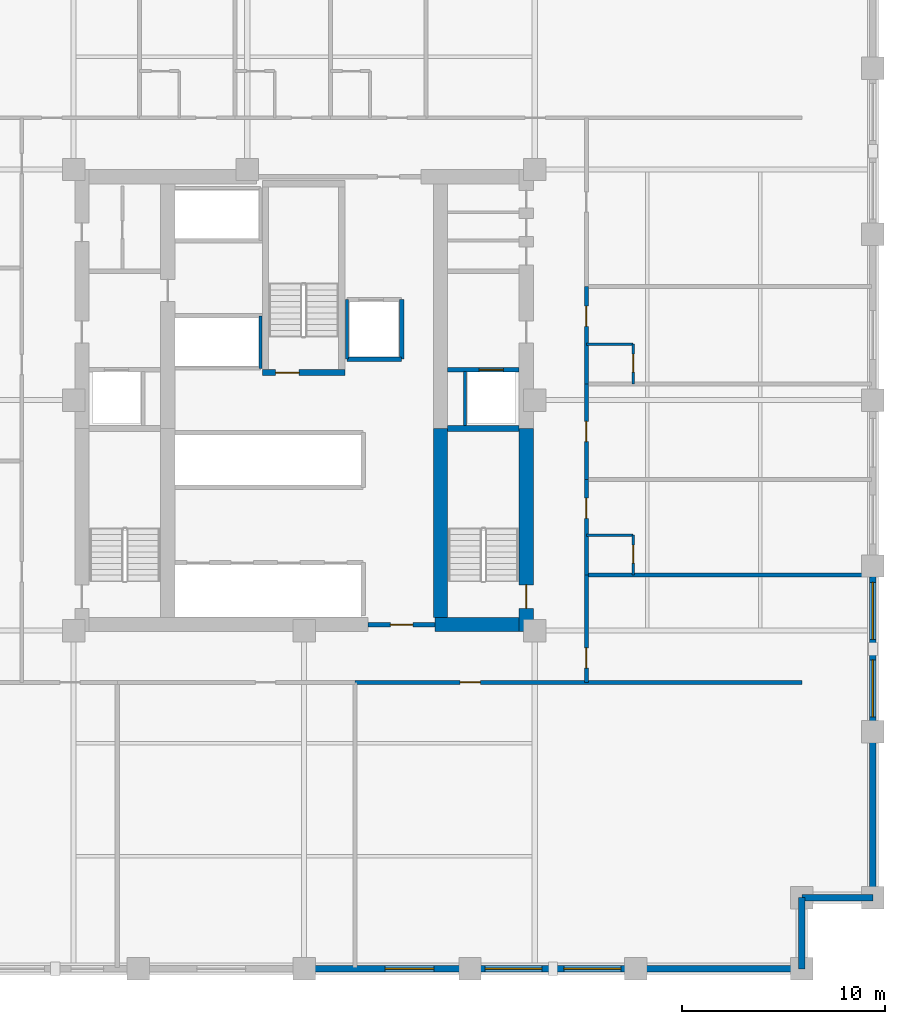
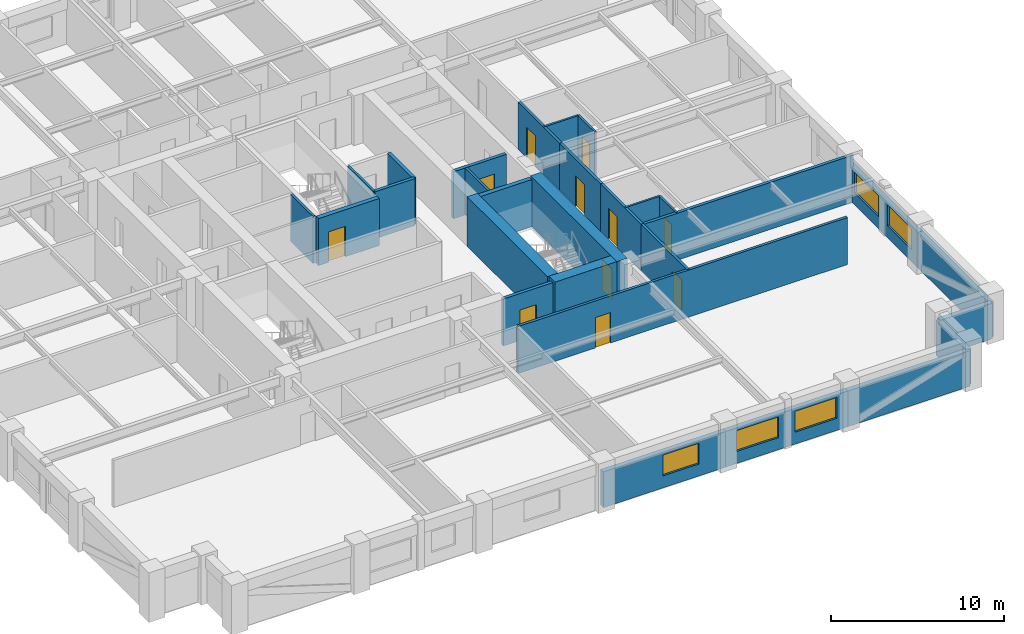
# One storey, part 3 of 7: 29 walls, 11 doors, 5 windows, 16 openings.
"""IFC4 building model written with IfcOpenShell, lengths in metres."""

from ifc_helpers import new_model, si_unit, direction, frame, frame_2d, origin, place, context, subcontext, project, spatial, rectangle, extrude, material, layer, layer_set, type_object, element, fill, save


model = new_model("IFC4")

# Units and contexts
model_context = context("Model", 3, precision=1e-05, world=origin(), true_north=direction((0.0, 1.0)))
body_context = subcontext(model_context, "Body", "Model", "MODEL_VIEW")
ifc_project = project(units=[si_unit("LENGTHUNIT", "METRE"), si_unit("AREAUNIT", "SQUARE_METRE"), si_unit("VOLUMEUNIT", "CUBIC_METRE"), si_unit("PLANEANGLEUNIT", "RADIAN"), si_unit("MASSUNIT", "GRAM", prefix="KILO")], contexts=[model_context])

# Site, building, storey
site_placement = place(None, origin())
site = spatial("IfcSite", under=ifc_project, at=site_placement, CompositionType="ELEMENT")
building_placement = place(site_placement, origin())
building = spatial("IfcBuilding", under=site, at=building_placement, Name="Nhamokura Convention Tower", CompositionType="ELEMENT")
storey_placement = place(building_placement, frame((0.0, 0.0, 52.85009765625)))
storey = spatial("IfcBuildingStorey", under=building, at=storey_placement, Name="L11", CompositionType="ELEMENT", Elevation=52.85009765625)

# Wall
ifc_material_1 = material(Name="Moisture-resistant tile-backer partition", Category="masonry")
ifc_layer_1 = layer(ifc_material_1, 0.139892578125)
ifc_layer_set_1 = layer_set([ifc_layer_1], Name="BathroomWetWall_140")
wall_type_1 = type_object("IfcWallType", Name="BathroomWetWall_140", PredefinedType="STANDARD", material=ifc_layer_set_1)
wall_1_placement = place(storey_placement, frame((45.89990234375, 25.35009765625, 0.0), z_axis=(0.0, 0.0, 1.0), x_axis=(1.0, 0.0, 0.0)))
element("IfcWall", 1, at=wall_1_placement, inside=storey, type_object=wall_type_1, Name="L11 Wall INT-L11-BW-E01N", PredefinedType="STANDARD", context=body_context, shape_type="SweptSolid", body=[
    extrude(rectangle(XDim=2.300048828125, YDim=0.139892578125, at=frame_2d((1.14990234375, 0.0))), origin(), (0.0, 0.0, 1.0), 3.31982421875),
])

# Wall, opening, door
wall_2_placement = place(storey_placement, frame((48.199951171875, 23.39990234375, 0.0), z_axis=(0.0, 0.0, 1.0), x_axis=(0.0, 1.0, 0.0)))
wall_2 = element("IfcWall", 2, at=wall_2_placement, inside=storey, type_object=wall_type_1, Name="L11 Wall INT-L11-BW-E01E", PredefinedType="STANDARD", context=body_context, shape_type="SweptSolid", body=[
    extrude(rectangle(XDim=1.9501953125, YDim=0.139892578125, at=frame_2d((0.97509765625, 0.0))), origin(), (0.0, 0.0, 1.0), 3.31982421875),
])
opening_1_placement = place(wall_2_placement, frame((0.580078125, 0.0, 0.0)))
opening_1 = element("IfcOpeningElement", 3, at=opening_1_placement, cuts=wall_2, Name="Opening D-11", PredefinedType="OPENING", context=body_context, shape_type="SweptSolid", body=[
    extrude(rectangle(XDim=0.8798828125, YDim=2.10009765625, at=frame_2d((0.43994140625, 1.050048828125))), frame((0.0, 0.079833984375, 0.0), z_axis=(0.0, -1.0, 0.0), x_axis=(1.0, 0.0, 0.0)), (0.0, 0.0, 1.0), 0.159912109375),
])
ifc_material_2 = material(Name="Solid oak hardwood", Category="wood")
door_type_1 = type_object("IfcDoorType", Name="BathroomDoor_880", OperationType="NOTDEFINED", PredefinedType="DOOR", material=ifc_material_2)
door_1_placement = place(opening_1_placement, origin())
door_1 = element("IfcDoor", 4, at=door_1_placement, inside=storey, type_object=door_type_1, Name="L11 Corner Suite En-suite Door", OperationType="SINGLE_SWING_LEFT", OverallHeight=2.10009765625, OverallWidth=0.8798828125, PredefinedType="DOOR", context=body_context, shape_type="SweptSolid", body=[
    extrude(rectangle(XDim=0.8798828125, YDim=2.10009765625, at=frame_2d((0.43994140625, 1.050048828125))), frame((0.0, 0.02490234375, 0.0), z_axis=(0.0, -1.0, 0.0), x_axis=(1.0, 0.0, 0.0)), (0.0, 0.0, 1.0), 0.050048828125),
])
fill(opening_1, door_1)

# Wall
wall_3_placement = place(storey_placement, frame((45.89990234375, 34.75, 0.0), z_axis=(0.0, 0.0, 1.0), x_axis=(1.0, 0.0, 0.0)))
element("IfcWall", 5, at=wall_3_placement, inside=storey, type_object=wall_type_1, Name="L11 Wall INT-L11-BW-E03N", PredefinedType="STANDARD", context=body_context, shape_type="SweptSolid", body=[
    extrude(rectangle(XDim=2.300048828125, YDim=0.139892578125, at=frame_2d((1.14990234375, 0.0))), origin(), (0.0, 0.0, 1.0), 3.31982421875),
])

# Wall, opening, door
wall_4_placement = place(storey_placement, frame((48.199951171875, 32.800048828125, 0.0), z_axis=(0.0, 0.0, 1.0), x_axis=(0.0, 1.0, 0.0)))
wall_4 = element("IfcWall", 6, at=wall_4_placement, inside=storey, type_object=wall_type_1, Name="L11 Wall INT-L11-BW-E03E", PredefinedType="STANDARD", context=body_context, shape_type="SweptSolid", body=[
    extrude(rectangle(XDim=1.949951171875, YDim=0.139892578125, at=frame_2d((0.97509765625, 0.0))), origin(), (0.0, 0.0, 1.0), 3.31982421875),
])
opening_2_placement = place(wall_4_placement, frame((0.580078125, 0.0, 0.0)))
opening_2 = element("IfcOpeningElement", 7, at=opening_2_placement, cuts=wall_4, Name="Opening D-11", PredefinedType="OPENING", context=body_context, shape_type="SweptSolid", body=[
    extrude(rectangle(XDim=0.8798828125, YDim=2.10009765625, at=frame_2d((0.43994140625, 1.050048828125))), frame((0.0, 0.079833984375, 0.0), z_axis=(0.0, -1.0, 0.0), x_axis=(1.0, 0.0, 0.0)), (0.0, 0.0, 1.0), 0.159912109375),
])
door_2_placement = place(opening_2_placement, origin())
door_2 = element("IfcDoor", 8, at=door_2_placement, inside=storey, type_object=door_type_1, Name="L11 Guest Room En-suite Door", OperationType="SINGLE_SWING_LEFT", OverallHeight=2.10009765625, OverallWidth=0.8798828125, PredefinedType="DOOR", context=body_context, shape_type="SweptSolid", body=[
    extrude(rectangle(XDim=0.8798828125, YDim=2.10009765625, at=frame_2d((0.43994140625, 1.050048828125))), frame((0.0, 0.02490234375, 0.0), z_axis=(0.0, -1.0, 0.0), x_axis=(1.0, 0.0, 0.0)), (0.0, 0.0, 1.0), 0.050048828125),
])
fill(opening_2, door_2)

# Wall, opening, window
ifc_material_3 = material(Name="Bronze-pigmented precast concrete C45/55", Category="concrete")
ifc_layer_2 = layer(ifc_material_3, 0.320068359375)
ifc_layer_set_2 = layer_set([ifc_layer_2], Name="BronzePrecastSpandrel_320")
wall_type_2 = type_object("IfcWallType", Name="BronzePrecastSpandrel_320", PredefinedType="USERDEFINED", material=ifc_layer_set_2)
wall_5_placement = place(storey_placement, frame((40.166748046875, 4.0, 0.0), z_axis=(0.0, 0.0, 1.0), x_axis=(-1.0, 0.0, 0.0)))
wall_5 = element("IfcWall", 9, at=wall_5_placement, inside=storey, type_object=wall_type_2, Name="L11 Masonry-Frame Wall SOUTH 3", ObjectType="SPANDREL_WALL", PredefinedType="USERDEFINED", context=body_context, shape_type="SweptSolid", body=[
    extrude(rectangle(XDim=8.166748046875, YDim=0.320068359375, at=frame_2d((4.08349609375, 0.0))), origin(), (0.0, 0.0, 1.0), 2.52001953125),
])
opening_3_placement = place(wall_5_placement, frame((1.783203125, 0.0, 0.85009765625)))
opening_3 = element("IfcOpeningElement", 10, at=opening_3_placement, cuts=wall_5, Name="Opening W-03", PredefinedType="OPENING", context=body_context, shape_type="SweptSolid", body=[
    extrude(rectangle(XDim=2.39990234375, YDim=1.469970703125, at=frame_2d((1.199951171875, 0.73486328125))), frame((0.0, 0.169921875, 0.0), z_axis=(0.0, -1.0, 0.0), x_axis=(1.0, 0.0, 0.0)), (0.0, 0.0, 1.0), 0.340087890625),
])
ifc_material_4 = material(Name="Solar-control bronze low-E double glass", Category="glass")
window_type_1 = type_object("IfcWindowType", Name="HotelBayWindow_2400", PartitioningType="DOUBLE_PANEL_VERTICAL", PredefinedType="WINDOW", material=ifc_material_4)
window_1_placement = place(opening_3_placement, origin())
window_1 = element("IfcWindow", 11, at=window_1_placement, inside=storey, type_object=window_type_1, Name="L11 Facade Window SOUTH 3-1", OverallHeight=1.469970703125, OverallWidth=2.39990234375, PartitioningType="SINGLE_PANEL", PredefinedType="WINDOW", context=body_context, shape_type="SweptSolid", body=[
    extrude(rectangle(XDim=2.39990234375, YDim=1.469970703125, at=frame_2d((1.199951171875, 0.73486328125))), frame((0.0, 0.030029296875, 0.0), z_axis=(0.0, -1.0, 0.0), x_axis=(1.0, 0.0, 0.0)), (0.0, 0.0, 1.0), 0.06005859375),
])
fill(opening_3, window_1)

# Wall, openings, windows
wall_6_placement = place(storey_placement, frame((48.333251953125, 4.0, 0.0), z_axis=(0.0, 0.0, 1.0), x_axis=(-1.0, 0.0, 0.0)))
wall_6 = element("IfcWall", 12, at=wall_6_placement, inside=storey, type_object=wall_type_2, Name="L11 Masonry-Frame Wall SOUTH 4", ObjectType="SPANDREL_WALL", PredefinedType="USERDEFINED", context=body_context, shape_type="SweptSolid", body=[
    extrude(rectangle(XDim=8.16650390625, YDim=0.320068359375, at=frame_2d((4.083251953125, 0.0))), origin(), (0.0, 0.0, 1.0), 2.52001953125),
])
opening_4_placement = place(wall_6_placement, frame((0.74169921875, 0.0, 0.85009765625)))
opening_4 = element("IfcOpeningElement", 13, at=opening_4_placement, cuts=wall_6, Name="Opening W-04", PredefinedType="OPENING", context=body_context, shape_type="SweptSolid", body=[
    extrude(rectangle(XDim=2.800048828125, YDim=1.469970703125, at=frame_2d((1.39990234375, 0.73486328125))), frame((0.0, 0.169921875, 0.0), z_axis=(0.0, -1.0, 0.0), x_axis=(1.0, 0.0, 0.0)), (0.0, 0.0, 1.0), 0.340087890625),
])
opening_5_placement = place(wall_6_placement, frame((4.625, 0.0, 0.85009765625)))
opening_5 = element("IfcOpeningElement", 14, at=opening_5_placement, cuts=wall_6, Name="Opening W-04", PredefinedType="OPENING", context=body_context, shape_type="SweptSolid", body=[
    extrude(rectangle(XDim=2.800048828125, YDim=1.469970703125, at=frame_2d((1.39990234375, 0.73486328125))), frame((0.0, 0.169921875, 0.0), z_axis=(0.0, -1.0, 0.0), x_axis=(1.0, 0.0, 0.0)), (0.0, 0.0, 1.0), 0.340087890625),
])
ifc_material_5 = material(Name="Solar-control bronze low-E double glass", Category="glass")
window_type_2 = type_object("IfcWindowType", Name="HotelSuiteWindow_2800", PartitioningType="DOUBLE_PANEL_VERTICAL", PredefinedType="WINDOW", material=ifc_material_5)
window_2_placement = place(opening_4_placement, origin())
window_2 = element("IfcWindow", 15, at=window_2_placement, inside=storey, type_object=window_type_2, Name="L11 Facade Window SOUTH 4-1", OverallHeight=1.469970703125, OverallWidth=2.800048828125, PartitioningType="SINGLE_PANEL", PredefinedType="WINDOW", context=body_context, shape_type="SweptSolid", body=[
    extrude(rectangle(XDim=2.800048828125, YDim=1.469970703125, at=frame_2d((1.39990234375, 0.73486328125))), frame((0.0, 0.030029296875, 0.0), z_axis=(0.0, -1.0, 0.0), x_axis=(1.0, 0.0, 0.0)), (0.0, 0.0, 1.0), 0.06005859375),
])
fill(opening_4, window_2)
window_3_placement = place(opening_5_placement, origin())
window_3 = element("IfcWindow", 16, at=window_3_placement, inside=storey, type_object=window_type_2, Name="L11 Facade Window SOUTH 4-2", OverallHeight=1.469970703125, OverallWidth=2.800048828125, PartitioningType="SINGLE_PANEL", PredefinedType="WINDOW", context=body_context, shape_type="SweptSolid", body=[
    extrude(rectangle(XDim=2.800048828125, YDim=1.469970703125, at=frame_2d((1.39990234375, 0.73486328125))), frame((0.0, 0.030029296875, 0.0), z_axis=(0.0, -1.0, 0.0), x_axis=(1.0, 0.0, 0.0)), (0.0, 0.0, 1.0), 0.06005859375),
])
fill(opening_5, window_3)

# Walls
for number, where, z_axis, x_axis, name in (
    (17, (56.5, 4.0, 0.0), (0.0, 0.0, 1.0), (-1.0, 0.0, 0.0), "L11 Braced-Bay Precast Wall SOUTH 5"),
    (18, (60.0, 15.666748046875, 0.0), (0.0, 0.0, 1.0), (0.0, -1.0, 0.0), "L11 Braced-Bay Precast Wall EAST 0"),
):
    element("IfcWall", number, at=place(storey_placement, frame(where, z_axis=z_axis, x_axis=x_axis)), inside=storey, type_object=wall_type_2, Name=name, ObjectType="SPANDREL_WALL", PredefinedType="USERDEFINED", context=body_context, shape_type="SweptSolid", body=[
        extrude(rectangle(XDim=8.166748046875, YDim=0.320068359375, at=frame_2d((4.08349609375, 0.0))), origin(), (0.0, 0.0, 1.0), 2.52001953125),
    ])

# Wall, openings, windows
wall_7_placement = place(storey_placement, frame((60.0, 23.833251953125, 0.0), z_axis=(0.0, 0.0, 1.0), x_axis=(0.0, -1.0, 0.0)))
wall_7 = element("IfcWall", 19, at=wall_7_placement, inside=storey, type_object=wall_type_2, Name="L11 Masonry-Frame Wall EAST 1", ObjectType="SPANDREL_WALL", PredefinedType="USERDEFINED", context=body_context, shape_type="SweptSolid", body=[
    extrude(rectangle(XDim=8.16650390625, YDim=0.320068359375, at=frame_2d((4.083251953125, 0.0))), origin(), (0.0, 0.0, 1.0), 2.52001953125),
])
opening_6_placement = place(wall_7_placement, frame((0.808349609375, 0.0, 0.85009765625)))
opening_6 = element("IfcOpeningElement", 20, at=opening_6_placement, cuts=wall_7, Name="Opening W-04", PredefinedType="OPENING", context=body_context, shape_type="SweptSolid", body=[
    extrude(rectangle(XDim=2.800048828125, YDim=1.469970703125, at=frame_2d((1.39990234375, 0.73486328125))), frame((0.0, 0.169921875, 0.0), z_axis=(0.0, -1.0, 0.0), x_axis=(1.0, 0.0, 0.0)), (0.0, 0.0, 1.0), 0.340087890625),
])
opening_7_placement = place(wall_7_placement, frame((4.625, 0.0, 0.85009765625)))
opening_7 = element("IfcOpeningElement", 21, at=opening_7_placement, cuts=wall_7, Name="Opening W-04", PredefinedType="OPENING", context=body_context, shape_type="SweptSolid", body=[
    extrude(rectangle(XDim=2.800048828125, YDim=1.469970703125, at=frame_2d((1.39990234375, 0.73486328125))), frame((0.0, 0.169921875, 0.0), z_axis=(0.0, -1.0, 0.0), x_axis=(1.0, 0.0, 0.0)), (0.0, 0.0, 1.0), 0.340087890625),
])
window_4_placement = place(opening_6_placement, origin())
window_4 = element("IfcWindow", 22, at=window_4_placement, inside=storey, type_object=window_type_2, Name="L11 Facade Window EAST 1-1", OverallHeight=1.469970703125, OverallWidth=2.800048828125, PartitioningType="SINGLE_PANEL", PredefinedType="WINDOW", context=body_context, shape_type="SweptSolid", body=[
    extrude(rectangle(XDim=2.800048828125, YDim=1.469970703125, at=frame_2d((1.39990234375, 0.73486328125))), frame((0.0, 0.030029296875, 0.0), z_axis=(0.0, -1.0, 0.0), x_axis=(1.0, 0.0, 0.0)), (0.0, 0.0, 1.0), 0.06005859375),
])
fill(opening_6, window_4)
window_5_placement = place(opening_7_placement, origin())
window_5 = element("IfcWindow", 23, at=window_5_placement, inside=storey, type_object=window_type_2, Name="L11 Facade Window EAST 1-2", OverallHeight=1.469970703125, OverallWidth=2.800048828125, PartitioningType="SINGLE_PANEL", PredefinedType="WINDOW", context=body_context, shape_type="SweptSolid", body=[
    extrude(rectangle(XDim=2.800048828125, YDim=1.469970703125, at=frame_2d((1.39990234375, 0.73486328125))), frame((0.0, 0.030029296875, 0.0), z_axis=(0.0, -1.0, 0.0), x_axis=(1.0, 0.0, 0.0)), (0.0, 0.0, 1.0), 0.06005859375),
])
fill(opening_7, window_5)

# Walls
for number, where, z_axis, x_axis, name in (
    (24, (56.5, 7.5, 0.0), (0.0, 0.0, 1.0), (0.0, -1.0, 0.0), "L11 Notched Corner Wall SE1"),
    (25, (60.0, 7.5, 0.0), (0.0, 0.0, 1.0), (-1.0, 0.0, 0.0), "L11 Notched Corner Wall SE2"),
):
    element("IfcWall", number, at=place(storey_placement, frame(where, z_axis=z_axis, x_axis=x_axis)), inside=storey, type_object=wall_type_2, Name=name, ObjectType="SPANDREL_WALL", PredefinedType="USERDEFINED", context=body_context, shape_type="SweptSolid", body=[
        extrude(rectangle(XDim=3.5, YDim=0.320068359375, at=frame_2d((1.75, 0.0))), origin(), (0.0, 0.0, 1.0), 2.52001953125),
    ])

# Wall, opening, door
ifc_material_6 = material(Name="Concrete C70/85", Category="concrete")
ifc_layer_3 = layer(ifc_material_6, 0.699951171875)
ifc_layer_set_3 = layer_set([ifc_layer_3], Name="CoreShearWall_700")
wall_type_3 = type_object("IfcWallType", Name="CoreShearWall_700", PredefinedType="SHEAR", material=ifc_layer_set_3)
wall_8_placement = place(storey_placement, frame((42.93994140625, 20.60009765625, 0.0), z_axis=(0.0, 0.0, 1.0), x_axis=(0.0, 1.0, 0.0)))
wall_8 = element("IfcWall", 26, at=wall_8_placement, inside=storey, type_object=wall_type_3, Name="L11 Core Shear Wall CW-ES", PredefinedType="SHEAR", context=body_context, shape_type="SweptSolid", body=[
    extrude(rectangle(XDim=10.0, YDim=0.699951171875, at=frame_2d((5.0, 0.0))), origin(), (0.0, 0.0, 1.0), 3.5),
])
opening_8_placement = place(wall_8_placement, frame((1.14990234375, 0.0, 0.0)))
opening_8 = element("IfcOpeningElement", 27, at=opening_8_placement, cuts=wall_8, Name="Opening D-04", PredefinedType="OPENING", context=body_context, shape_type="SweptSolid", body=[
    extrude(rectangle(XDim=1.14990234375, YDim=2.14990234375, at=frame_2d((0.574951171875, 1.074951171875))), frame((0.0, 0.35986328125, 0.0), z_axis=(0.0, -1.0, 0.0), x_axis=(1.0, 0.0, 0.0)), (0.0, 0.0, 1.0), 0.719970703125),
])
ifc_material_7 = material(Name="Fire-rated steel door", Category="steel")
door_type_2 = type_object("IfcDoorType", Name="StairSmokeDoor_1150", OperationType="NOTDEFINED", PredefinedType="DOOR", material=ifc_material_7)
door_3_placement = place(opening_8_placement, origin())
door_3 = element("IfcDoor", 28, at=door_3_placement, inside=storey, type_object=door_type_2, Name="L11 Core Door INT-L11-D-ST02", OperationType="SINGLE_SWING_RIGHT", OverallHeight=2.14990234375, OverallWidth=1.14990234375, PredefinedType="DOOR", context=body_context, shape_type="SweptSolid", body=[
    extrude(rectangle(XDim=1.14990234375, YDim=2.14990234375, at=frame_2d((0.574951171875, 1.074951171875))), frame((0.0, 0.02490234375, 0.0), z_axis=(0.0, -1.0, 0.0), x_axis=(1.0, 0.0, 0.0)), (0.0, 0.0, 1.0), 0.050048828125),
])
fill(opening_8, door_3)

# Walls
wall_9_placement = place(storey_placement, frame((38.449951171875, 20.949951171875, 0.0), z_axis=(0.0, 0.0, 1.0), x_axis=(1.0, 0.0, 0.0)))
element("IfcWall", 29, at=wall_9_placement, inside=storey, type_object=wall_type_3, Name="L11 Core Shear Wall CW-S2", PredefinedType="SHEAR", context=body_context, shape_type="SweptSolid", body=[
    extrude(rectangle(XDim=4.14013671875, YDim=0.699951171875, at=frame_2d((2.070068359375, 0.0))), origin(), (0.0, 0.0, 1.0), 3.5),
])
wall_10_placement = place(storey_placement, frame((38.7099609375, 21.300048828125, 0.0), z_axis=(0.0, 0.0, 1.0), x_axis=(0.0, 1.0, 0.0)))
element("IfcWall", 30, at=wall_10_placement, inside=storey, type_object=wall_type_3, Name="L11 Core Shear Wall CW-IES", PredefinedType="SHEAR", context=body_context, shape_type="SweptSolid", body=[
    extrude(rectangle(XDim=9.300048828125, YDim=0.699951171875, at=frame_2d((4.64990234375, 0.0))), origin(), (0.0, 0.0, 1.0), 3.5),
])

# Wall, opening, door
ifc_material_8 = material(Name="Fire-rated gypsum and masonry partition", Category="masonry")
ifc_layer_4 = layer(ifc_material_8, 0.179931640625)
ifc_layer_set_4 = layer_set([ifc_layer_4], Name="CorridorRatedWall_180")
wall_type_4 = type_object("IfcWallType", Name="CorridorRatedWall_180", PredefinedType="STANDARD", material=ifc_layer_set_4)
wall_11_placement = place(storey_placement, frame((34.5, 18.10009765625, 0.0), z_axis=(0.0, 0.0, 1.0), x_axis=(1.0, 0.0, 0.0)))
wall_11 = element("IfcWall", 31, at=wall_11_placement, inside=storey, type_object=wall_type_4, Name="L11 Wall INT-L11-CW-S02", PredefinedType="STANDARD", context=body_context, shape_type="SweptSolid", body=[
    extrude(rectangle(XDim=22.0, YDim=0.179931640625, at=frame_2d((11.0, 0.0))), origin(), (0.0, 0.0, 1.0), 3.31982421875),
])
opening_9_placement = place(wall_11_placement, frame((5.175048828125, 0.0, 0.0)))
opening_9 = element("IfcOpeningElement", 32, at=opening_9_placement, cuts=wall_11, Name="Opening D-07", PredefinedType="OPENING", context=body_context, shape_type="SweptSolid", body=[
    extrude(rectangle(XDim=1.0, YDim=2.14990234375, at=frame_2d((0.5, 1.074951171875))), frame((0.0, 0.099853515625, 0.0), z_axis=(0.0, -1.0, 0.0), x_axis=(1.0, 0.0, 0.0)), (0.0, 0.0, 1.0), 0.199951171875),
])
ifc_material_9 = material(Name="Solid oak hardwood", Category="wood")
door_type_3 = type_object("IfcDoorType", Name="HotelSuiteEntryDoor_1000", OperationType="NOTDEFINED", PredefinedType="DOOR", material=ifc_material_9)
door_4_placement = place(opening_9_placement, origin())
door_4 = element("IfcDoor", 33, at=door_4_placement, inside=storey, type_object=door_type_3, Name="L11 Conference Salon S03 Door", OperationType="SINGLE_SWING_LEFT", OverallHeight=2.14990234375, OverallWidth=1.0, PredefinedType="DOOR", context=body_context, shape_type="SweptSolid", body=[
    extrude(rectangle(XDim=1.0, YDim=2.14990234375, at=frame_2d((0.5, 1.074951171875))), frame((0.0, 0.02490234375, 0.0), z_axis=(0.0, -1.0, 0.0), x_axis=(1.0, 0.0, 0.0)), (0.0, 0.0, 1.0), 0.050048828125),
])
fill(opening_9, door_4)

wall_12_placement = place(storey_placement, frame((45.89990234375, 18.10009765625, 0.0), z_axis=(0.0, 0.0, 1.0), x_axis=(0.0, 1.0, 0.0)))
wall_12 = element("IfcWall", 34, at=wall_12_placement, inside=storey, type_object=wall_type_4, Name="L11 Wall INT-L11-CW-E00", PredefinedType="STANDARD", context=body_context, shape_type="SweptSolid", body=[
    extrude(rectangle(XDim=5.2998046875, YDim=0.179931640625, at=frame_2d((2.64990234375, 0.0))), origin(), (0.0, 0.0, 1.0), 3.31982421875),
])
opening_10_placement = place(wall_12_placement, frame((0.699951171875, 0.0, 0.0)))
opening_10 = element("IfcOpeningElement", 35, at=opening_10_placement, cuts=wall_12, Name="Opening D-07", PredefinedType="OPENING", context=body_context, shape_type="SweptSolid", body=[
    extrude(rectangle(XDim=1.0, YDim=2.14990234375, at=frame_2d((0.5, 1.074951171875))), frame((0.0, 0.099853515625, 0.0), z_axis=(0.0, -1.0, 0.0), x_axis=(1.0, 0.0, 0.0)), (0.0, 0.0, 1.0), 0.199951171875),
])
door_5_placement = place(opening_10_placement, origin())
door_5 = element("IfcDoor", 36, at=door_5_placement, inside=storey, type_object=door_type_3, Name="L11 Conference Salon E01 Door", OperationType="SINGLE_SWING_LEFT", OverallHeight=2.14990234375, OverallWidth=1.0, PredefinedType="DOOR", context=body_context, shape_type="SweptSolid", body=[
    extrude(rectangle(XDim=1.0, YDim=2.14990234375, at=frame_2d((0.5, 1.074951171875))), frame((0.0, 0.02490234375, 0.0), z_axis=(0.0, -1.0, 0.0), x_axis=(1.0, 0.0, 0.0)), (0.0, 0.0, 1.0), 0.050048828125),
])
fill(opening_10, door_5)

wall_13_placement = place(storey_placement, frame((45.89990234375, 23.39990234375, 0.0), z_axis=(0.0, 0.0, 1.0), x_axis=(0.0, 1.0, 0.0)))
wall_13 = element("IfcWall", 37, at=wall_13_placement, inside=storey, type_object=wall_type_4, Name="L11 Wall INT-L11-CW-E01", PredefinedType="STANDARD", context=body_context, shape_type="SweptSolid", body=[
    extrude(rectangle(XDim=4.7001953125, YDim=0.179931640625, at=frame_2d((2.35009765625, 0.0))), origin(), (0.0, 0.0, 1.0), 3.31982421875),
])
opening_11_placement = place(wall_13_placement, frame((2.77490234375, 0.0, 0.0)))
opening_11 = element("IfcOpeningElement", 38, at=opening_11_placement, cuts=wall_13, Name="Opening D-07", PredefinedType="OPENING", context=body_context, shape_type="SweptSolid", body=[
    extrude(rectangle(XDim=1.0, YDim=2.14990234375, at=frame_2d((0.5, 1.074951171875))), frame((0.0, 0.099853515625, 0.0), z_axis=(0.0, -1.0, 0.0), x_axis=(1.0, 0.0, 0.0)), (0.0, 0.0, 1.0), 0.199951171875),
])
door_6_placement = place(opening_11_placement, origin())
door_6 = element("IfcDoor", 39, at=door_6_placement, inside=storey, type_object=door_type_3, Name="L11 Corner Suite E02 Door", OperationType="SINGLE_SWING_RIGHT", OverallHeight=2.14990234375, OverallWidth=1.0, PredefinedType="DOOR", context=body_context, shape_type="SweptSolid", body=[
    extrude(rectangle(XDim=1.0, YDim=2.14990234375, at=frame_2d((0.5, 1.074951171875))), frame((0.0, 0.02490234375, 0.0), z_axis=(0.0, -1.0, 0.0), x_axis=(1.0, 0.0, 0.0)), (0.0, 0.0, 1.0), 0.050048828125),
])
fill(opening_11, door_6)

wall_14_placement = place(storey_placement, frame((45.89990234375, 28.10009765625, 0.0), z_axis=(0.0, 0.0, 1.0), x_axis=(0.0, 1.0, 0.0)))
wall_14 = element("IfcWall", 40, at=wall_14_placement, inside=storey, type_object=wall_type_4, Name="L11 Wall INT-L11-CW-E02", PredefinedType="STANDARD", context=body_context, shape_type="SweptSolid", body=[
    extrude(rectangle(XDim=4.699951171875, YDim=0.179931640625, at=frame_2d((2.35009765625, 0.0))), origin(), (0.0, 0.0, 1.0), 3.31982421875),
])
opening_12_placement = place(wall_14_placement, frame((1.85009765625, 0.0, 0.0)))
opening_12 = element("IfcOpeningElement", 41, at=opening_12_placement, cuts=wall_14, Name="Opening D-07", PredefinedType="OPENING", context=body_context, shape_type="SweptSolid", body=[
    extrude(rectangle(XDim=1.0, YDim=2.14990234375, at=frame_2d((0.5, 1.074951171875))), frame((0.0, 0.099853515625, 0.0), z_axis=(0.0, -1.0, 0.0), x_axis=(1.0, 0.0, 0.0)), (0.0, 0.0, 1.0), 0.199951171875),
])
door_7_placement = place(opening_12_placement, origin())
door_7 = element("IfcDoor", 42, at=door_7_placement, inside=storey, type_object=door_type_3, Name="L11 Housekeeping Store E03 Door", OperationType="SINGLE_SWING_LEFT", OverallHeight=2.14990234375, OverallWidth=1.0, PredefinedType="DOOR", context=body_context, shape_type="SweptSolid", body=[
    extrude(rectangle(XDim=1.0, YDim=2.14990234375, at=frame_2d((0.5, 1.074951171875))), frame((0.0, 0.02490234375, 0.0), z_axis=(0.0, -1.0, 0.0), x_axis=(1.0, 0.0, 0.0)), (0.0, 0.0, 1.0), 0.050048828125),
])
fill(opening_12, door_7)

wall_15_placement = place(storey_placement, frame((45.89990234375, 32.800048828125, 0.0), z_axis=(0.0, 0.0, 1.0), x_axis=(0.0, 1.0, 0.0)))
wall_15 = element("IfcWall", 43, at=wall_15_placement, inside=storey, type_object=wall_type_4, Name="L11 Wall INT-L11-CW-E03", PredefinedType="STANDARD", context=body_context, shape_type="SweptSolid", body=[
    extrude(rectangle(XDim=4.800048828125, YDim=0.179931640625, at=frame_2d((2.39990234375, 0.0))), origin(), (0.0, 0.0, 1.0), 3.31982421875),
])
opening_13_placement = place(wall_15_placement, frame((2.824951171875, 0.0, 0.0)))
opening_13 = element("IfcOpeningElement", 44, at=opening_13_placement, cuts=wall_15, Name="Opening D-07", PredefinedType="OPENING", context=body_context, shape_type="SweptSolid", body=[
    extrude(rectangle(XDim=1.0, YDim=2.14990234375, at=frame_2d((0.5, 1.074951171875))), frame((0.0, 0.099853515625, 0.0), z_axis=(0.0, -1.0, 0.0), x_axis=(1.0, 0.0, 0.0)), (0.0, 0.0, 1.0), 0.199951171875),
])
door_8_placement = place(opening_13_placement, origin())
door_8 = element("IfcDoor", 45, at=door_8_placement, inside=storey, type_object=door_type_3, Name="L11 Guest Room E04 Door", OperationType="SINGLE_SWING_RIGHT", OverallHeight=2.14990234375, OverallWidth=1.0, PredefinedType="DOOR", context=body_context, shape_type="SweptSolid", body=[
    extrude(rectangle(XDim=1.0, YDim=2.14990234375, at=frame_2d((0.5, 1.074951171875))), frame((0.0, 0.02490234375, 0.0), z_axis=(0.0, -1.0, 0.0), x_axis=(1.0, 0.0, 0.0)), (0.0, 0.0, 1.0), 0.050048828125),
])
fill(opening_13, door_8)

ifc_material_10 = material(Name="Autoclaved concrete blockwork", Category="masonry")
ifc_layer_5 = layer(ifc_material_10, 0.219970703125)
ifc_layer_set_5 = layer_set([ifc_layer_5], Name="FireLobbyWall_220")
wall_type_5 = type_object("IfcWallType", Name="FireLobbyWall_220", PredefinedType="STANDARD", material=ifc_layer_set_5)
wall_16_placement = place(storey_placement, frame((39.06005859375, 33.5, 0.0), z_axis=(0.0, 0.0, 1.0), x_axis=(1.0, 0.0, 0.0)))
wall_16 = element("IfcWall", 46, at=wall_16_placement, inside=storey, type_object=wall_type_5, Name="L11 Wall INT-L11-FFE-S", PredefinedType="STANDARD", context=body_context, shape_type="SweptSolid", body=[
    extrude(rectangle(XDim=3.530029296875, YDim=0.219970703125, at=frame_2d((1.76513671875, 0.0))), origin(), (0.0, 0.0, 1.0), 3.31982421875),
])
opening_14_placement = place(wall_16_placement, frame((1.550048828125, 0.0, 0.0)))
opening_14 = element("IfcOpeningElement", 47, at=opening_14_placement, cuts=wall_16, Name="Opening LD-02", PredefinedType="OPENING", context=body_context, shape_type="SweptSolid", body=[
    extrude(rectangle(XDim=1.199951171875, YDim=2.199951171875, at=frame_2d((0.60009765625, 1.10009765625))), frame((0.0, 0.119873046875, 0.0), z_axis=(0.0, -1.0, 0.0), x_axis=(1.0, 0.0, 0.0)), (0.0, 0.0, 1.0), 0.239990234375),
])
ifc_material_11 = material(Name="Anodised bronze stainless steel", Category="steel")
door_type_4 = type_object("IfcDoorType", Name="LiftLandingDoor_FireService", OperationType="DOUBLE_DOOR_SLIDING", PredefinedType="DOOR", material=ifc_material_11)
door_9_placement = place(opening_14_placement, origin())
door_9 = element("IfcDoor", 48, at=door_9_placement, inside=storey, type_object=door_type_4, Name="L11 Firefighting Lift LF-02 Door", OperationType="DOUBLE_DOOR_SLIDING", OverallHeight=2.199951171875, OverallWidth=1.199951171875, PredefinedType="DOOR", context=body_context, shape_type="SweptSolid", body=[
    extrude(rectangle(XDim=1.199951171875, YDim=2.199951171875, at=frame_2d((0.60009765625, 1.10009765625))), frame((0.0, 0.02490234375, 0.0), z_axis=(0.0, -1.0, 0.0), x_axis=(1.0, 0.0, 0.0)), (0.0, 0.0, 1.0), 0.050048828125),
])
fill(opening_14, door_9)

wall_17_placement = place(storey_placement, frame((35.14990234375, 20.949951171875, 0.0), z_axis=(0.0, 0.0, 1.0), x_axis=(1.0, 0.0, 0.0)))
wall_17 = element("IfcWall", 49, at=wall_17_placement, inside=storey, type_object=wall_type_5, Name="L11 Wall INT-L11-SPORT-S", PredefinedType="STANDARD", context=body_context, shape_type="SweptSolid", body=[
    extrude(rectangle(XDim=3.300048828125, YDim=0.219970703125, at=frame_2d((1.64990234375, 0.0))), origin(), (0.0, 0.0, 1.0), 3.31982421875),
])
opening_15_placement = place(wall_17_placement, frame((1.10009765625, 0.0, 0.0)))
opening_15 = element("IfcOpeningElement", 50, at=opening_15_placement, cuts=wall_17, Name="Opening D-05", PredefinedType="OPENING", context=body_context, shape_type="SweptSolid", body=[
    extrude(rectangle(XDim=1.10009765625, YDim=2.14990234375, at=frame_2d((0.550048828125, 1.074951171875))), frame((0.0, 0.119873046875, 0.0), z_axis=(0.0, -1.0, 0.0), x_axis=(1.0, 0.0, 0.0)), (0.0, 0.0, 1.0), 0.239990234375),
])
ifc_material_12 = material(Name="Fire-rated steel door", Category="steel")
door_type_5 = type_object("IfcDoorType", Name="FireLobbyDoor_1100", OperationType="NOTDEFINED", PredefinedType="DOOR", material=ifc_material_12)
door_10_placement = place(opening_15_placement, origin())
door_10 = element("IfcDoor", 51, at=door_10_placement, inside=storey, type_object=door_type_5, Name="L11 South Core Lobby Portal Door", OperationType="SINGLE_SWING_LEFT", OverallHeight=2.14990234375, OverallWidth=1.10009765625, PredefinedType="DOOR", context=body_context, shape_type="SweptSolid", body=[
    extrude(rectangle(XDim=1.10009765625, YDim=2.14990234375, at=frame_2d((0.550048828125, 1.074951171875))), frame((0.0, 0.02490234375, 0.0), z_axis=(0.0, -1.0, 0.0), x_axis=(1.0, 0.0, 0.0)), (0.0, 0.0, 1.0), 0.050048828125),
])
fill(opening_15, door_10)

# Walls
wall_18_placement = place(storey_placement, frame((36.800048828125, 34.02001953125, 0.0), z_axis=(0.0, 0.0, 1.0), x_axis=(0.0, 1.0, 0.0)))
element("IfcWall", 52, at=wall_18_placement, inside=storey, type_object=wall_type_5, Name="L11 Wall INT-L11-LSE", PredefinedType="STANDARD", context=body_context, shape_type="SweptSolid", body=[
    extrude(rectangle(XDim=2.929931640625, YDim=0.219970703125, at=frame_2d((1.46484375, 0.0))), origin(), (0.0, 0.0, 1.0), 3.31982421875),
])
wall_19_placement = place(storey_placement, frame((34.1201171875, 34.02001953125, 0.0), z_axis=(0.0, 0.0, 1.0), x_axis=(1.0, 0.0, 0.0)))
element("IfcWall", 53, at=wall_19_placement, inside=storey, type_object=wall_type_5, Name="L11 Wall INT-L11-LSS", PredefinedType="STANDARD", context=body_context, shape_type="SweptSolid", body=[
    extrude(rectangle(XDim=2.679931640625, YDim=0.219970703125, at=frame_2d((1.33984375, 0.0))), origin(), (0.0, 0.0, 1.0), 3.31982421875),
])
ifc_material_13 = material(Name="Acoustic twin-stud gypsum partition", Category="masonry")
ifc_layer_6 = layer(ifc_material_13, 0.199951171875)
ifc_layer_set_6 = layer_set([ifc_layer_6], Name="HotelDemisingWall_200")
wall_type_6 = type_object("IfcWallType", Name="HotelDemisingWall_200", PredefinedType="STANDARD", material=ifc_layer_set_6)
wall_20_placement = place(storey_placement, frame((45.89990234375, 23.39990234375, 0.0), z_axis=(0.0, 0.0, 1.0), x_axis=(1.0, 0.0, 0.0)))
element("IfcWall", 54, at=wall_20_placement, inside=storey, type_object=wall_type_6, Name="L11 Wall INT-L11-RW-E01", PredefinedType="STANDARD", context=body_context, shape_type="SweptSolid", body=[
    extrude(rectangle(XDim=14.0400390625, YDim=0.199951171875, at=frame_2d((7.02001953125, 0.0))), origin(), (0.0, 0.0, 1.0), 3.31982421875),
])
ifc_material_14 = material(Name="Acoustic gypsum stud partition", Category="masonry")
ifc_layer_7 = layer(ifc_material_14, 0.14990234375)
ifc_layer_set_7 = layer_set([ifc_layer_7], Name="InteriorPartition_150")
wall_type_7 = type_object("IfcWallType", Name="InteriorPartition_150", PredefinedType="STANDARD", material=ifc_layer_set_7)
wall_21_placement = place(storey_placement, frame((39.919921875, 30.75, 0.0), z_axis=(0.0, 0.0, 1.0), x_axis=(0.0, 1.0, 0.0)))
element("IfcWall", 55, at=wall_21_placement, inside=storey, type_object=wall_type_7, Name="L11 Wall INT-L11-FF2-W", PredefinedType="STANDARD", context=body_context, shape_type="SweptSolid", body=[
    extrude(rectangle(XDim=2.64990234375, YDim=0.14990234375, at=frame_2d((1.324951171875, 0.0))), origin(), (0.0, 0.0, 1.0), 3.31982421875),
])
wall_22_placement = place(storey_placement, frame((29.85009765625, 33.550048828125, 0.0), z_axis=(0.0, 0.0, 1.0), x_axis=(0.0, 1.0, 0.0)))
element("IfcWall", 56, at=wall_22_placement, inside=storey, type_object=wall_type_7, Name="L11 Wall INT-L11-B3A-E", PredefinedType="STANDARD", context=body_context, shape_type="SweptSolid", body=[
    extrude(rectangle(XDim=2.599853515625, YDim=0.14990234375, at=frame_2d((1.2998046875, 0.0))), origin(), (0.0, 0.0, 1.0), 3.31982421875),
])
wall_23_placement = place(storey_placement, frame((34.1201171875, 34.02001953125, 0.0), z_axis=(0.0, 0.0, 1.0), x_axis=(0.0, 1.0, 0.0)))
element("IfcWall", 57, at=wall_23_placement, inside=storey, type_object=wall_type_7, Name="L11 Wall INT-L11-LSW", PredefinedType="STANDARD", context=body_context, shape_type="SweptSolid", body=[
    extrude(rectangle(XDim=2.929931640625, YDim=0.14990234375, at=frame_2d((1.46484375, 0.0))), origin(), (0.0, 0.0, 1.0), 3.31982421875),
])
ifc_material_15 = material(Name="Concrete C50/60", Category="concrete")
ifc_layer_8 = layer(ifc_material_15, 0.300048828125)
ifc_layer_set_8 = layer_set([ifc_layer_8], Name="ShaftEnclosureWall_300")
wall_type_8 = type_object("IfcWallType", Name="ShaftEnclosureWall_300", PredefinedType="SHEAR", material=ifc_layer_set_8)
wall_24_placement = place(storey_placement, frame((39.06005859375, 30.60009765625, 0.0), z_axis=(0.0, 0.0, 1.0), x_axis=(1.0, 0.0, 0.0)))
element("IfcWall", 58, at=wall_24_placement, inside=storey, type_object=wall_type_8, Name="L11 Wall INT-L11-ST02-N", PredefinedType="SHEAR", context=body_context, shape_type="SweptSolid", body=[
    extrude(rectangle(XDim=3.530029296875, YDim=0.300048828125, at=frame_2d((1.76513671875, 0.0))), origin(), (0.0, 0.0, 1.0), 3.31982421875),
])

# Wall, opening, door
wall_25_placement = place(storey_placement, frame((29.949951171875, 33.35009765625, 0.0), z_axis=(0.0, 0.0, 1.0), x_axis=(1.0, 0.0, 0.0)))
wall_25 = element("IfcWall", 59, at=wall_25_placement, inside=storey, type_object=wall_type_8, Name="L11 Wall INT-L11-ST03S", PredefinedType="SHEAR", context=body_context, shape_type="SweptSolid", body=[
    extrude(rectangle(XDim=4.050048828125, YDim=0.300048828125, at=frame_2d((2.02490234375, 0.0))), origin(), (0.0, 0.0, 1.0), 3.31982421875),
])
opening_16_placement = place(wall_25_placement, frame((0.64990234375, 0.0, 0.0)))
opening_16 = element("IfcOpeningElement", 60, at=opening_16_placement, cuts=wall_25, Name="Opening D-04", PredefinedType="OPENING", context=body_context, shape_type="SweptSolid", body=[
    extrude(rectangle(XDim=1.14990234375, YDim=2.14990234375, at=frame_2d((0.574951171875, 1.074951171875))), frame((0.0, 0.159912109375, 0.0), z_axis=(0.0, -1.0, 0.0), x_axis=(1.0, 0.0, 0.0)), (0.0, 0.0, 1.0), 0.320068359375),
])
door_11_placement = place(opening_16_placement, origin())
door_11 = element("IfcDoor", 61, at=door_11_placement, inside=storey, type_object=door_type_2, Name="L11 Stair ST-03 Smoke Door", OperationType="SINGLE_SWING_LEFT", OverallHeight=2.14990234375, OverallWidth=1.14990234375, PredefinedType="DOOR", context=body_context, shape_type="SweptSolid", body=[
    extrude(rectangle(XDim=1.14990234375, YDim=2.14990234375, at=frame_2d((0.574951171875, 1.074951171875))), frame((0.0, 0.02490234375, 0.0), z_axis=(0.0, -1.0, 0.0), x_axis=(1.0, 0.0, 0.0)), (0.0, 0.0, 1.0), 0.050048828125),
])
fill(opening_16, door_11)

save(model, "model.ifc")
